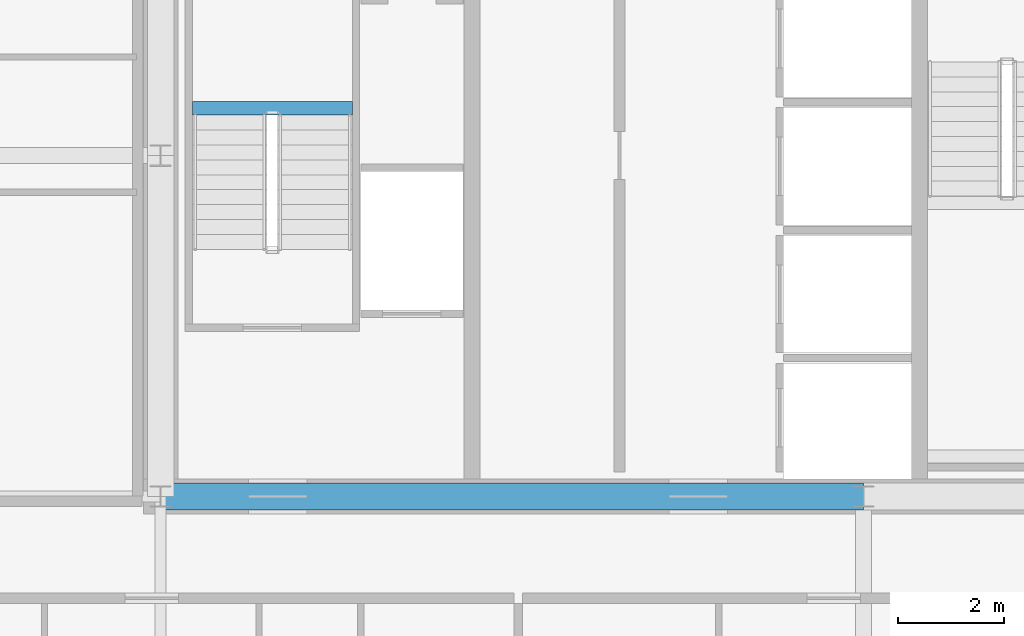
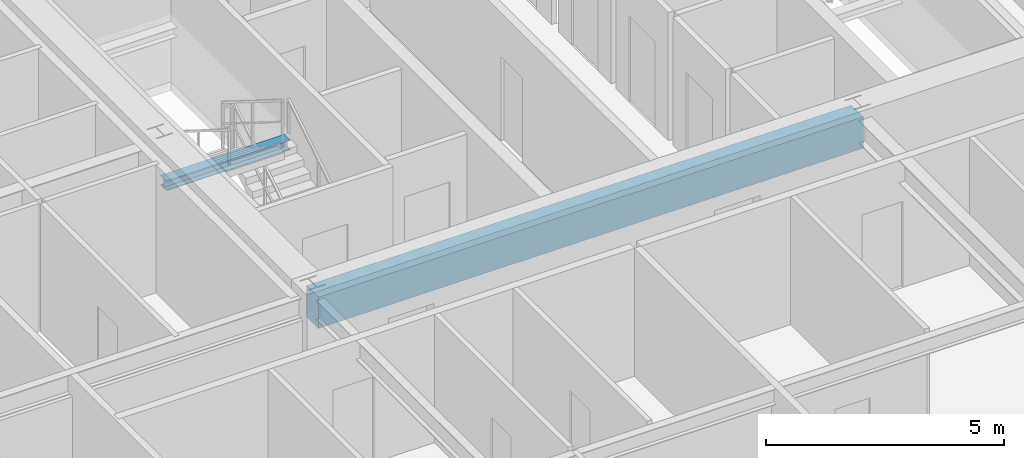
# One storey, part 13 of 38: 2 beams.
"""IFC4 building model written with IfcOpenShell, lengths in metres."""

from ifc_helpers import new_model, si_unit, direction, frame, origin, origin_2d, place, context, subcontext, project, spatial, rectangle, i_section, extrude, source, transform, mapped, material, material_profile, profile_set, type_object, element, save


model = new_model("IFC4")

# Units and contexts
model_context = context("Model", 3, precision=1e-05, world=origin(), true_north=direction((0.0, 1.0)))
body_context = subcontext(model_context, "Body", "Model", "MODEL_VIEW")
ifc_project = project(units=[si_unit("LENGTHUNIT", "METRE"), si_unit("AREAUNIT", "SQUARE_METRE"), si_unit("VOLUMEUNIT", "CUBIC_METRE"), si_unit("PLANEANGLEUNIT", "RADIAN"), si_unit("MASSUNIT", "GRAM", prefix="KILO"), si_unit("THERMODYNAMICTEMPERATUREUNIT", "KELVIN"), si_unit("POWERUNIT", "WATT")], contexts=[model_context])

# Site, building, storey
site_placement = place(None, origin())
site = spatial("IfcSite", under=ifc_project, at=site_placement, CompositionType="ELEMENT")
building_placement = place(site_placement, origin())
building = spatial("IfcBuilding", under=site, at=building_placement, Name="Yuzanri Waterfront Tower", CompositionType="ELEMENT")
storey_placement = place(building_placement, frame((0.0, 0.0, 202.0)))
storey = spatial("IfcBuildingStorey", under=building, at=storey_placement, Name="L53", CompositionType="ELEMENT", Elevation=202.0)

# Beams
ifc_material_1 = material(Name="Concrete C50", Category="concrete")
ifc_material_profile_1 = material_profile(ifc_material_1, rectangle(XDim=0.5, YDim=0.800048828125, at=origin_2d()), Name="RC 500x800")
ifc_profile_set_1 = profile_set([ifc_material_profile_1], Name="Concrete C50")
beam_type_1 = type_object("IfcBeamType", Name="Core Coupling Lintel Concrete C50 500x800", PredefinedType="LINTEL", material=ifc_profile_set_1)
shared_shape_1 = source(origin(), body_context, "Body", "SweptSolid", [
    extrude(rectangle(XDim=0.5, YDim=0.800048828125, at=origin_2d()), origin(), (0.0, 0.0, 1.0), 13.199951171875),
])
beam_1_placement = place(storey_placement, frame((23.800048828125, 19.39990234375, 2.8798828125), z_axis=(1.0, 0.0, 0.0), x_axis=(0.0, 1.0, 0.0)))
element("IfcBeam", 1, at=beam_1_placement, inside=storey, type_object=beam_type_1, Name="L53 Core Tie Beam CS1", PredefinedType="LINTEL", context=body_context, shape_type="MappedRepresentation", body=[
    mapped(shared_shape_1, transform((0.0, 0.0, 0.0), scale=1.0)),
])
ifc_material_2 = material(Name="Steel Q355B", Category="steel")
ifc_material_profile_2 = material_profile(ifc_material_2, i_section(OverallWidth=0.25, OverallDepth=0.25, WebThickness=0.009033203125, FlangeThickness=0.013916015625, at=origin_2d()), Name="HW 250x250x9x14")
ifc_profile_set_2 = profile_set([ifc_material_profile_2], Name="Steel Q355B")
beam_type_2 = type_object("IfcBeamType", Name="Stair Landing Support Beam Q355B HW 250x250", PredefinedType="BEAM", material=ifc_profile_set_2)
shared_shape_2 = source(origin(), body_context, "Body", "SweptSolid", [
    extrude(i_section(OverallWidth=0.25, OverallDepth=0.25, WebThickness=0.009033203125, FlangeThickness=0.013916015625, at=origin_2d()), origin(), (0.0, 0.0, 1.0), 3.0),
])
beam_2_placement = place(storey_placement, frame((24.39990234375, 26.68994140625, 1.425048828125), z_axis=(1.0, 0.0, 0.0), x_axis=(0.0, 1.0, 0.0)))
element("IfcBeam", 2, at=beam_2_placement, inside=storey, type_object=beam_type_2, Name="L53 Stair Landing Support Beam ST-01-L53-L1-1", PredefinedType="BEAM", context=body_context, shape_type="MappedRepresentation", body=[
    mapped(shared_shape_2, transform((0.0, 0.0, 0.0), scale=1.0)),
])

save(model, "model.ifc")
